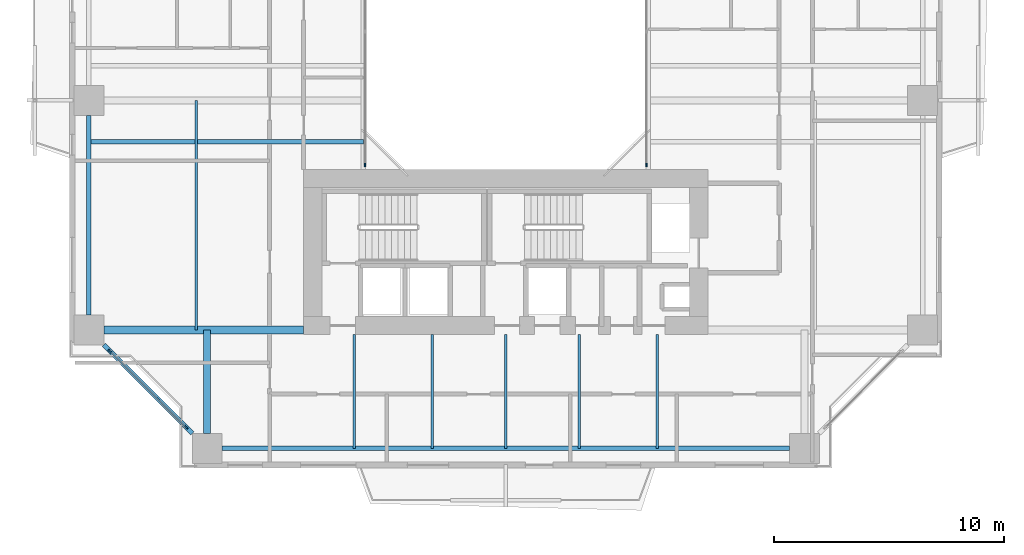
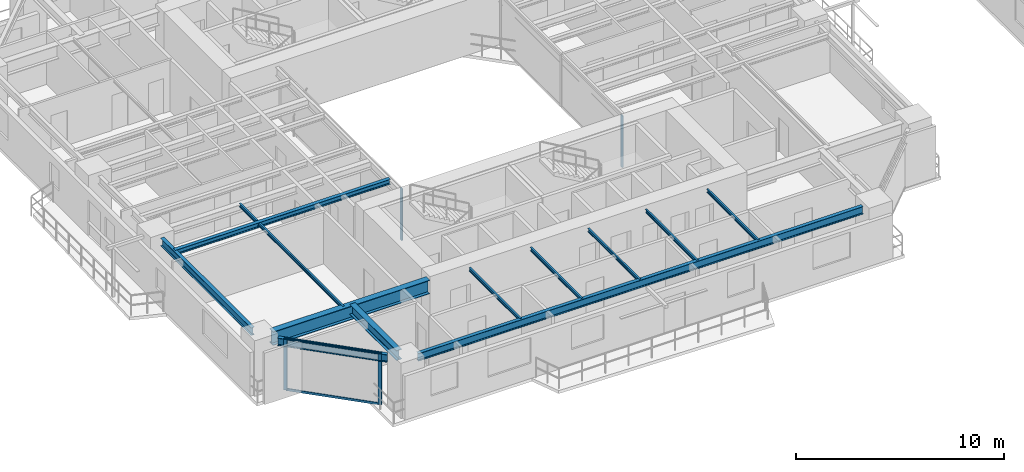
# One storey, part 2 of 24: 12 beams, 6 members, 3 elements without a shape of their own.
"""IFC4 building model written with IfcOpenShell, lengths in metres."""

from ifc_helpers import new_model, si_unit, direction, frame, origin, origin_2d, place, context, subcontext, project, spatial, rectangle, i_section, extrude, source, transform, mapped, material, layer, layer_set, material_profile, profile_set, type_object, element, aggregate, save


model = new_model("IFC4")

# Units and contexts
model_context = context("Model", 3, precision=1e-05, world=origin(), true_north=direction((0.0, 1.0)))
body_context = subcontext(model_context, "Body", "Model", "MODEL_VIEW")
ifc_project = project(units=[si_unit("LENGTHUNIT", "METRE"), si_unit("AREAUNIT", "SQUARE_METRE"), si_unit("VOLUMEUNIT", "CUBIC_METRE"), si_unit("PLANEANGLEUNIT", "RADIAN"), si_unit("MASSUNIT", "GRAM", prefix="KILO"), si_unit("THERMODYNAMICTEMPERATUREUNIT", "KELVIN"), si_unit("POWERUNIT", "WATT")], contexts=[model_context])

# Site, building, storey
site_placement = place(None, origin())
site = spatial("IfcSite", under=ifc_project, at=site_placement, CompositionType="ELEMENT")
building_placement = place(site_placement, origin())
building = spatial("IfcBuilding", under=site, at=building_placement, Name="Qiaomeng Ring Towers", CompositionType="ELEMENT")
storey_placement = place(building_placement, frame((0.0, 0.0, 42.5)))
storey = spatial("IfcBuildingStorey", under=building, at=storey_placement, Name="L11", CompositionType="ELEMENT", Elevation=42.5)

# Beams
ifc_material_1 = material(Name="Steel Q355B", Category="steel")
ifc_material_profile_1 = material_profile(ifc_material_1, i_section(OverallWidth=0.199951171875, OverallDepth=0.449951171875, WebThickness=0.009033203125, FlangeThickness=0.013916015625, FilletRadius=0.01806640625, at=origin_2d()), Name="HN 450x200x9x14")
ifc_profile_set_1 = profile_set([ifc_material_profile_1], Name="Steel Q355B")
beam_type_1 = type_object("IfcBeamType", Name="STR-BM-HN450", PredefinedType="SPANDREL", material=ifc_profile_set_1)
shared_shape_1 = source(origin(), body_context, "Body", "SweptSolid", [
    extrude(i_section(OverallWidth=0.199951171875, OverallDepth=0.449951171875, WebThickness=0.009033203125, FlangeThickness=0.013916015625, FilletRadius=0.01806640625, at=origin_2d()), origin(), (0.0, 0.0, 1.0), 24.7021484375),
])
beam_1_placement = place(storey_placement, frame((6.64892578125, 4.85009765625, 2.804931640625), z_axis=(1.0, 0.0, 0.0), x_axis=(0.0, 1.0, 0.0)))
element("IfcBeam", 1, at=beam_1_placement, inside=storey, type_object=beam_type_1, Name="L11 beam STR-SP-L11-T1-S1-S2", PredefinedType="SPANDREL", context=body_context, shape_type="MappedRepresentation", body=[
    mapped(shared_shape_1, transform((0.0, 0.0, 0.0), x_axis=(1.0, 0.0, 0.0), y_axis=(0.0, 1.0, 0.0), z_axis=(0.0, 0.0, 1.0), scale=1.0)),
])
shared_shape_2 = source(origin(), body_context, "Body", "SweptSolid", [
    extrude(i_section(OverallWidth=0.199951171875, OverallDepth=0.449951171875, WebThickness=0.009033203125, FlangeThickness=0.013916015625, FilletRadius=0.01806640625, at=origin_2d()), origin(), (0.0, 0.0, 1.0), 5.446533203125),
])
beam_2_placement = place(storey_placement, frame((1.499267578125, 9.3505859375, 2.804931640625), z_axis=(0.707106781187, -0.707106781187, 0.0), x_axis=(0.707106781187, 0.707106781187, 0.0)))
element("IfcBeam", 2, at=beam_2_placement, inside=storey, type_object=beam_type_1, Name="L11 beam STR-SP-L11-T1-W1-S1", PredefinedType="SPANDREL", context=body_context, shape_type="MappedRepresentation", body=[
    mapped(shared_shape_2, transform((0.0, 0.0, 0.0), x_axis=(1.0, 0.0, 0.0), y_axis=(0.0, 1.0, 0.0), z_axis=(0.0, 0.0, 1.0), scale=1.0)),
])
shared_shape_3 = source(origin(), body_context, "Body", "SweptSolid", [
    extrude(i_section(OverallWidth=0.199951171875, OverallDepth=0.449951171875, WebThickness=0.009033203125, FlangeThickness=0.013916015625, FilletRadius=0.01806640625, at=origin_2d()), origin(), (0.0, 0.0, 1.0), 8.7021484375),
])
beam_3_placement = place(storey_placement, frame((0.85009765625, 19.35107421875, 2.804931640625), z_axis=(0.0, -1.0, 0.0), x_axis=(1.0, 0.0, 0.0)))
element("IfcBeam", 3, at=beam_3_placement, inside=storey, type_object=beam_type_1, Name="L11 beam STR-SP-L11-T1-W2-W1", PredefinedType="SPANDREL", context=body_context, shape_type="MappedRepresentation", body=[
    mapped(shared_shape_3, transform((0.0, 0.0, 0.0), x_axis=(1.0, 0.0, 0.0), y_axis=(0.0, 1.0, 0.0), z_axis=(0.0, 0.0, 1.0), scale=1.0)),
])
ifc_material_2 = material(Name="Steel Q390GJC", Category="steel")
ifc_material_profile_2 = material_profile(ifc_material_2, i_section(OverallWidth=0.35009765625, OverallDepth=0.800048828125, WebThickness=0.01611328125, FlangeThickness=0.028076171875, at=origin_2d()), Name="WH 800x350x16x28")
ifc_profile_set_2 = profile_set([ifc_material_profile_2], Name="Steel Q390GJC")
beam_type_2 = type_object("IfcBeamType", Name="STR-BM-WH800", PredefinedType="BEAM", material=ifc_profile_set_2)
shared_shape_4 = source(origin(), body_context, "Body", "SweptSolid", [
    extrude(i_section(OverallWidth=0.35009765625, OverallDepth=0.800048828125, WebThickness=0.01611328125, FlangeThickness=0.028076171875, at=origin_2d()), origin(), (0.0, 0.0, 1.0), 8.700927734375),
])
beam_4_placement = place(storey_placement, frame((1.4990234375, 10.0, 2.6298828125), z_axis=(1.0, 0.0, 0.0), x_axis=(0.0, 1.0, 0.0)))
element("IfcBeam", 4, at=beam_4_placement, inside=storey, type_object=beam_type_2, Name="L11 beam STR-BM-L11-T1-RAD-W1", PredefinedType="BEAM", context=body_context, shape_type="MappedRepresentation", body=[
    mapped(shared_shape_4, transform((0.0, 0.0, 0.0), x_axis=(1.0, 0.0, 0.0), y_axis=(0.0, 1.0, 0.0), z_axis=(0.0, 0.0, 1.0), scale=1.0)),
])
ifc_material_profile_3 = material_profile(ifc_material_1, i_section(OverallWidth=0.300048828125, OverallDepth=0.587890625, WebThickness=0.011962890625, FlangeThickness=0.02001953125, FilletRadius=0.028076171875, at=origin_2d()), Name="HM 588x300x12x20")
ifc_profile_set_3 = profile_set([ifc_material_profile_3], Name="Steel Q355B")
beam_type_3 = type_object("IfcBeamType", Name="STR-BM-HM588", PredefinedType="BEAM", material=ifc_profile_set_3)
shared_shape_5 = source(origin(), body_context, "Body", "SweptSolid", [
    extrude(i_section(OverallWidth=0.300048828125, OverallDepth=0.587890625, WebThickness=0.011962890625, FlangeThickness=0.02001953125, FilletRadius=0.028076171875, at=origin_2d()), origin(), (0.0, 0.0, 1.0), 4.5009765625),
])
beam_5_placement = place(storey_placement, frame((6.0, 5.4990234375, 2.736083984375), z_axis=(0.0, 1.0, 0.0), x_axis=(-1.0, 0.0, 0.0)))
element("IfcBeam", 5, at=beam_5_placement, inside=storey, type_object=beam_type_3, Name="L11 beam STR-BM-L11-T1-RAD-S1", PredefinedType="BEAM", context=body_context, shape_type="MappedRepresentation", body=[
    mapped(shared_shape_5, transform((0.0, 0.0, 0.0), x_axis=(1.0, 0.0, 0.0), y_axis=(0.0, 1.0, 0.0), z_axis=(0.0, 0.0, 1.0), scale=1.0)),
])
ifc_material_profile_4 = material_profile(ifc_material_1, i_section(OverallWidth=0.10009765625, OverallDepth=0.199951171875, WebThickness=0.005615234375, FlangeThickness=0.008056640625, FilletRadius=0.010986328125, at=origin_2d()), Name="HN 200x100x5.5x8")
ifc_profile_set_4 = profile_set([ifc_material_profile_4], Name="Steel Q355B")
beam_type_4 = type_object("IfcBeamType", Name="STR-BM-HN200", PredefinedType="JOIST", material=ifc_profile_set_4)
shared_shape_6 = source(origin(), body_context, "Body", "SweptSolid", [
    extrude(i_section(OverallWidth=0.10009765625, OverallDepth=0.199951171875, WebThickness=0.005615234375, FlangeThickness=0.008056640625, FilletRadius=0.010986328125, at=origin_2d()), origin(), (0.0, 0.0, 1.0), 4.949951171875),
])
for number, where, z_axis, x_axis, name in (
    (6, (12.39990234375, 4.85009765625, 2.929931640625), (0.0, 1.0, 0.0), (-1.0, 0.0, 0.0), "L11 beam STR-JST-L11-T1S-1"),
    (7, (15.800048828125, 4.85009765625, 2.929931640625), (0.0, 1.0, 0.0), (-1.0, 0.0, 0.0), "L11 beam STR-JST-L11-T1S-2"),
    (8, (19.0, 4.85009765625, 2.929931640625), (0.0, 1.0, 0.0), (-1.0, 0.0, 0.0), "L11 beam STR-JST-L11-T1S-3"),
    (9, (22.199951171875, 4.85009765625, 2.929931640625), (0.0, 1.0, 0.0), (-1.0, 0.0, 0.0), "L11 beam STR-JST-L11-T1S-4"),
    (10, (25.60009765625, 4.85009765625, 2.929931640625), (0.0, 1.0, 0.0), (-1.0, 0.0, 0.0), "L11 beam STR-JST-L11-T1S-5"),
):
    element("IfcBeam", number, at=place(storey_placement, frame(where, z_axis=z_axis, x_axis=x_axis)), inside=storey, type_object=beam_type_4, Name=name, PredefinedType="JOIST", context=body_context, shape_type="MappedRepresentation", body=[
        mapped(shared_shape_6, transform((0.0, 0.0, 0.0), x_axis=(1.0, 0.0, 0.0), y_axis=(0.0, 1.0, 0.0), z_axis=(0.0, 0.0, 1.0), scale=1.0)),
    ])
ifc_material_profile_5 = material_profile(ifc_material_1, i_section(OverallWidth=0.199951171875, OverallDepth=0.2939453125, WebThickness=0.008056640625, FlangeThickness=0.011962890625, FilletRadius=0.01806640625, at=origin_2d()), Name="HM 294x200x8x12")
ifc_profile_set_5 = profile_set([ifc_material_profile_5], Name="Steel Q355B")
beam_type_5 = type_object("IfcBeamType", Name="STR-BM-HM294", PredefinedType="JOIST", material=ifc_profile_set_5)
shared_shape_7 = source(origin(), body_context, "Body", "SweptSolid", [
    extrude(i_section(OverallWidth=0.199951171875, OverallDepth=0.2939453125, WebThickness=0.008056640625, FlangeThickness=0.011962890625, FilletRadius=0.01806640625, at=origin_2d()), origin(), (0.0, 0.0, 1.0), 11.949951171875),
])
beam_6_placement = place(storey_placement, frame((0.85009765625, 18.199951171875, 2.883056640625), z_axis=(1.0, 0.0, 0.0), x_axis=(0.0, 1.0, 0.0)))
element("IfcBeam", 11, at=beam_6_placement, inside=storey, type_object=beam_type_5, Name="L11 beam STR-JST-L11-T1W-1", PredefinedType="JOIST", context=body_context, shape_type="MappedRepresentation", body=[
    mapped(shared_shape_7, transform((0.0, 0.0, 0.0), x_axis=(1.0, 0.0, 0.0), y_axis=(0.0, 1.0, 0.0), z_axis=(0.0, 0.0, 1.0), scale=1.0)),
])
shared_shape_8 = source(origin(), body_context, "Body", "SweptSolid", [
    extrude(i_section(OverallWidth=0.10009765625, OverallDepth=0.199951171875, WebThickness=0.005615234375, FlangeThickness=0.008056640625, FilletRadius=0.010986328125, at=origin_2d()), origin(), (0.0, 0.0, 1.0), 10.0),
])
beam_7_placement = place(storey_placement, frame((5.52490234375, 10.0, 2.929931640625), z_axis=(0.0, 1.0, 0.0), x_axis=(-1.0, 0.0, 0.0)))
element("IfcBeam", 12, at=beam_7_placement, inside=storey, type_object=beam_type_4, Name="L11 beam STR-JST-L11-T1C-WS", PredefinedType="JOIST", context=body_context, shape_type="MappedRepresentation", body=[
    mapped(shared_shape_8, transform((0.0, 0.0, 0.0), x_axis=(1.0, 0.0, 0.0), y_axis=(0.0, 1.0, 0.0), z_axis=(0.0, 0.0, 1.0), scale=1.0)),
])

# Curtain wall, members
ifc_material_3 = material(Name="Fluorocarbon dark-grey aluminium", Category="aluminium")
ifc_layer_1 = layer(ifc_material_3, 0.159912109375, Name="Fluorocarbon dark-grey aluminium")
ifc_layer_set_1 = layer_set([ifc_layer_1], Name="Fluorocarbon dark-grey aluminium")
curtain_wall_type_1 = type_object("IfcCurtainWallType", Name="ARC-CW-2", PredefinedType="NOTDEFINED", material=ifc_layer_set_1)
curtain_wall_1_placement = place(storey_placement, origin())
curtain_wall_1 = element("IfcCurtainWall", 13, at=curtain_wall_1_placement, inside=storey, type_object=curtain_wall_type_1, Name="L11 Curtain Wall CW2", PredefinedType="NOTDEFINED")
ifc_material_profile_6 = material_profile(ifc_material_3, rectangle(XDim=0.06494140625, YDim=0.1298828125, at=origin_2d()), Name="ALU TRAN 65x130")
ifc_profile_set_6 = profile_set([ifc_material_profile_6], Name="Fluorocarbon dark-grey aluminium")
member_type_1 = type_object("IfcMemberType", Name="ARC-CWT-120", PredefinedType="USERDEFINED", material=ifc_profile_set_6)
shared_shape_9 = source(origin(), body_context, "Body", "SweptSolid", [
    extrude(rectangle(XDim=0.06494140625, YDim=0.1298828125, at=origin_2d()), origin(), (0.0, 0.0, 1.0), 4.6259765625),
])
member_1_placement = place(storey_placement, frame((1.78955078125, 9.060546875, 0.032470703125), z_axis=(0.707106781187, -0.707106781187, 0.0), x_axis=(0.707106781187, 0.707106781187, 0.0)))
member_1 = element("IfcMember", 14, at=member_1_placement, type_object=member_type_1, Name="CW2 transom 1.1", ObjectType="TRANSOM", PredefinedType="USERDEFINED", context=body_context, shape_type="MappedRepresentation", body=[
    mapped(shared_shape_9, transform((0.0, 0.0, 0.0), x_axis=(1.0, 0.0, 0.0), y_axis=(0.0, 1.0, 0.0), z_axis=(0.0, 0.0, 1.0), scale=1.0)),
])
member_2_placement = place(storey_placement, frame((1.78955078125, 9.060546875, 2.99755859375), z_axis=(0.707106781187, -0.707106781187, 0.0), x_axis=(0.707106781187, 0.707106781187, 0.0)))
member_2 = element("IfcMember", 15, at=member_2_placement, type_object=member_type_1, Name="CW2 transom 1.2", ObjectType="TRANSOM", PredefinedType="USERDEFINED", context=body_context, shape_type="MappedRepresentation", body=[
    mapped(shared_shape_9, transform((0.0, 0.0, 0.0), x_axis=(1.0, 0.0, 0.0), y_axis=(0.0, 1.0, 0.0), z_axis=(0.0, 0.0, 1.0), scale=1.0)),
])

# Curtain wall, member
ifc_layer_2 = layer(ifc_material_3, 0.139892578125, Name="Fluorocarbon dark-grey aluminium")
ifc_layer_set_2 = layer_set([ifc_layer_2], Name="Fluorocarbon dark-grey aluminium")
curtain_wall_type_2 = type_object("IfcCurtainWallType", Name="ARC-CW-4", PredefinedType="NOTDEFINED", material=ifc_layer_set_2)
curtain_wall_2_placement = place(storey_placement, origin())
curtain_wall_2 = element("IfcCurtainWall", 16, at=curtain_wall_2_placement, inside=storey, type_object=curtain_wall_type_2, Name="L11 Curtain Wall CW4", PredefinedType="NOTDEFINED")
ifc_material_profile_7 = material_profile(ifc_material_3, rectangle(XDim=0.06494140625, YDim=0.159912109375, at=origin_2d()), Name="ALU MULL 65x160")
ifc_profile_set_7 = profile_set([ifc_material_profile_7], Name="Fluorocarbon dark-grey aluminium")
member_type_2 = type_object("IfcMemberType", Name="ARC-CWM-140", PredefinedType="MULLION", material=ifc_profile_set_7)
shared_shape_10 = source(origin(), body_context, "Body", "SweptSolid", [
    extrude(rectangle(XDim=0.06494140625, YDim=0.159912109375, at=origin_2d()), origin(), (0.0, 0.0, 1.0), 3.030029296875),
])
member_3_placement = place(storey_placement, frame((12.8798828125, 17.1826171875, 0.0), z_axis=(0.0, 0.0, 1.0), x_axis=(-1.0, 0.0, 0.0)))
member_3 = element("IfcMember", 17, at=member_3_placement, type_object=member_type_2, Name="CW4 mullion 1", PredefinedType="MULLION", context=body_context, shape_type="MappedRepresentation", body=[
    mapped(shared_shape_10, transform((0.0, 0.0, 0.0), x_axis=(1.0, 0.0, 0.0), y_axis=(0.0, 1.0, 0.0), z_axis=(0.0, 0.0, 1.0), scale=1.0)),
])
aggregate(curtain_wall_2, [member_3])

curtain_wall_3_placement = place(storey_placement, origin())
curtain_wall_3 = element("IfcCurtainWall", 18, at=curtain_wall_3_placement, inside=storey, type_object=curtain_wall_type_2, Name="L11 Curtain Wall CW4", PredefinedType="NOTDEFINED")
member_4_placement = place(storey_placement, frame((25.1201171875, 17.1826171875, 0.0), z_axis=(0.0, 0.0, 1.0), x_axis=(-1.0, 0.0, 0.0)))
member_4 = element("IfcMember", 19, at=member_4_placement, type_object=member_type_2, Name="CW4 mullion 1", PredefinedType="MULLION", context=body_context, shape_type="MappedRepresentation", body=[
    mapped(shared_shape_10, transform((0.0, 0.0, 0.0), x_axis=(1.0, 0.0, 0.0), y_axis=(0.0, 1.0, 0.0), z_axis=(0.0, 0.0, 1.0), scale=1.0)),
])
aggregate(curtain_wall_3, [member_4])

# Member
ifc_material_profile_8 = material_profile(ifc_material_3, rectangle(XDim=0.070068359375, YDim=0.179931640625, at=origin_2d()), Name="ALU MULL 70x180")
ifc_profile_set_8 = profile_set([ifc_material_profile_8], Name="Fluorocarbon dark-grey aluminium")
member_type_3 = type_object("IfcMemberType", Name="ARC-CWM-160", PredefinedType="MULLION", material=ifc_profile_set_8)
shared_shape_11 = source(origin(), body_context, "Body", "SweptSolid", [
    extrude(rectangle(XDim=0.070068359375, YDim=0.179931640625, at=origin_2d()), origin(), (0.0, 0.0, 1.0), 3.030029296875),
])
member_5_placement = place(storey_placement, frame((1.7646484375, 9.085205078125, 0.0), z_axis=(0.0, 0.0, 1.0), x_axis=(0.707106781187, 0.707106781187, 0.0)))
member_5 = element("IfcMember", 20, at=member_5_placement, type_object=member_type_3, Name="CW2 mullion 1", PredefinedType="MULLION", context=body_context, shape_type="MappedRepresentation", body=[
    mapped(shared_shape_11, transform((0.0, 0.0, 0.0), x_axis=(1.0, 0.0, 0.0), y_axis=(0.0, 1.0, 0.0), z_axis=(0.0, 0.0, 1.0), scale=1.0)),
])

member_6_placement = place(storey_placement, frame((5.085205078125, 5.7646484375, 0.0), z_axis=(0.0, 0.0, 1.0), x_axis=(0.707106781187, 0.707106781187, 0.0)))
member_6 = element("IfcMember", 21, at=member_6_placement, type_object=member_type_3, Name="CW2 mullion 2", PredefinedType="MULLION", context=body_context, shape_type="MappedRepresentation", body=[
    mapped(shared_shape_11, transform((0.0, 0.0, 0.0), x_axis=(1.0, 0.0, 0.0), y_axis=(0.0, 1.0, 0.0), z_axis=(0.0, 0.0, 1.0), scale=1.0)),
])

aggregate(curtain_wall_1, [member_5, member_6, member_1, member_2])

save(model, "model.ifc")
